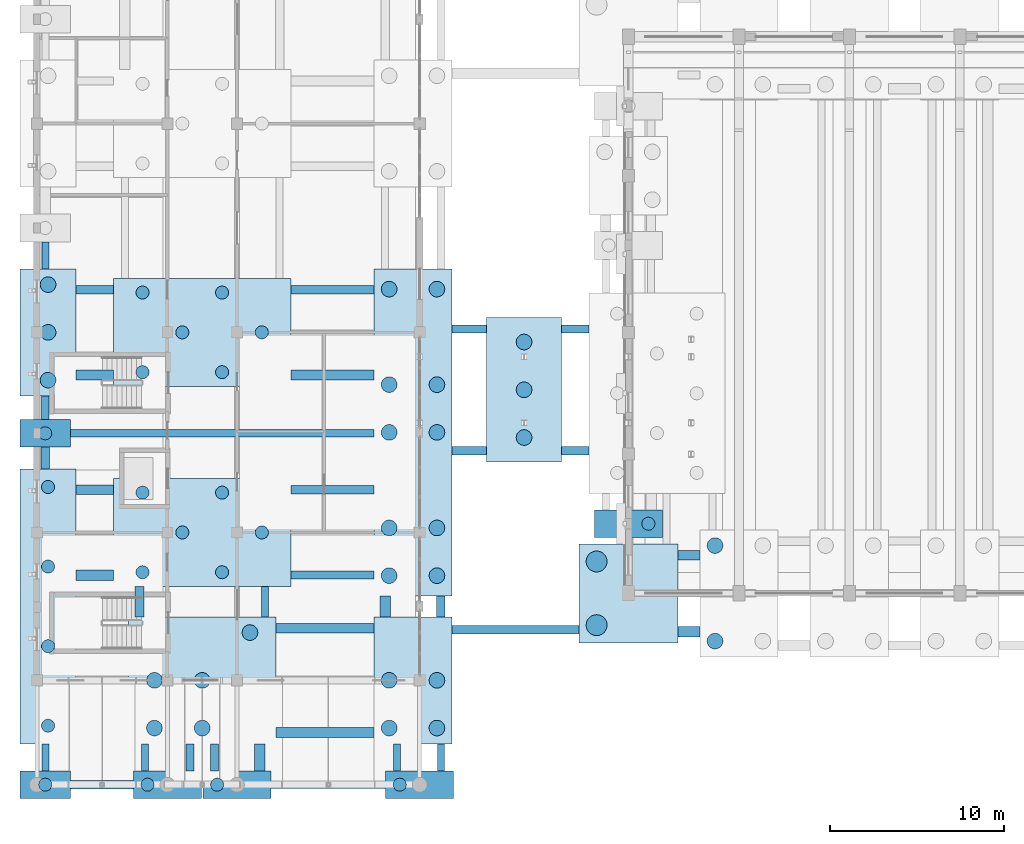
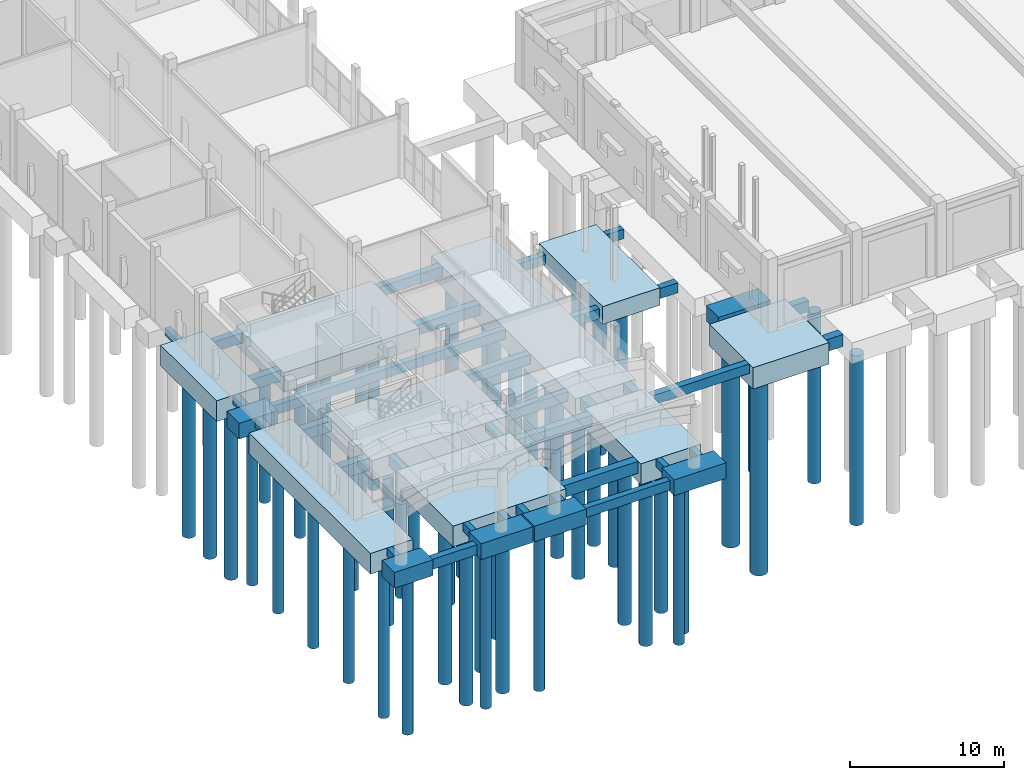
# One storey, part 1 of 60: 51 piles, 49 footings.
"""IFC4 building model written with IfcOpenShell, lengths in metres."""

from ifc_helpers import new_model, si_unit, direction, frame, origin, origin_2d, place, context, subcontext, project, spatial, rectangle, circle, extrude, material, material_profile, profile_set, type_object, element, save


model = new_model("IFC4")

# Units and contexts
model_context = context("Model", 3, precision=1e-05, world=origin(), true_north=direction((0.0, 1.0)))
body_context = subcontext(model_context, "Body", "Model", "MODEL_VIEW")
ifc_project = project(units=[si_unit("LENGTHUNIT", "METRE"), si_unit("AREAUNIT", "SQUARE_METRE"), si_unit("VOLUMEUNIT", "CUBIC_METRE"), si_unit("PLANEANGLEUNIT", "RADIAN"), si_unit("MASSUNIT", "GRAM", prefix="KILO")], contexts=[model_context])

# Site, building, storey
site_placement = place(None, origin())
site = spatial("IfcSite", under=ifc_project, at=site_placement, CompositionType="ELEMENT")
building_placement = place(site_placement, origin())
building = spatial("IfcBuilding", under=site, at=building_placement, Name="Trellovar Central Fire Station", CompositionType="ELEMENT")
storey_placement = place(building_placement, origin())
storey = spatial("IfcBuildingStorey", under=building, at=storey_placement, Name="L01", CompositionType="ELEMENT", Elevation=0.0)

# Footings
ifc_material_1 = material(Name="Concrete C35/45", Category="concrete")
footing_type_1 = type_object("IfcFootingType", Name="CAP-PC01", PredefinedType="PILE_CAP", material=ifc_material_1)
footing_1_placement = place(storey_placement, frame((1.47705078125, 3.0, -1.25), z_axis=(0.0, 0.0, 1.0), x_axis=(1.0, 0.0, 0.0)))
element("IfcFooting", 1, at=footing_1_placement, inside=storey, type_object=footing_type_1, Name="Pile cap PC-01 at (1.5, 3.0)", PredefinedType="PILE_CAP", context=body_context, shape_type="SweptSolid", body=[
    extrude(rectangle(XDim=2.89990234375, YDim=1.60009765625, at=origin_2d()), origin(), (0.0, 0.0, 1.0), 1.25),
])
ifc_material_2 = material(Name="Concrete C35/45", Category="concrete")
footing_type_2 = type_object("IfcFootingType", Name="CAP-PC02", PredefinedType="PILE_CAP", material=ifc_material_2)
footing_2_placement = place(storey_placement, frame((1.639892578125, 13.25, -2.050048828125), z_axis=(0.0, 0.0, 1.0), x_axis=(1.0, 0.0, 0.0)))
element("IfcFooting", 2, at=footing_2_placement, inside=storey, type_object=footing_type_2, Name="Pile cap PC-02 at (1.6, 13.2)", PredefinedType="PILE_CAP", context=body_context, shape_type="SweptSolid", body=[
    extrude(rectangle(XDim=3.199951171875, YDim=15.800048828125, at=origin_2d()), origin(), (0.0, 0.0, 1.0), 1.64990234375),
])
ifc_material_3 = material(Name="Concrete C35/45", Category="concrete")
footing_type_3 = type_object("IfcFootingType", Name="CAP-PC03", PredefinedType="PILE_CAP", material=ifc_material_3)
footing_3_placement = place(storey_placement, frame((1.47705078125, 23.199951171875, -1.64990234375), z_axis=(0.0, 0.0, 1.0), x_axis=(1.0, 0.0, 0.0)))
element("IfcFooting", 3, at=footing_3_placement, inside=storey, type_object=footing_type_3, Name="Pile cap PC-03 at (1.5, 23.2)", PredefinedType="PILE_CAP", context=body_context, shape_type="SweptSolid", body=[
    extrude(rectangle(XDim=2.89990234375, YDim=1.60009765625, at=origin_2d()), origin(), (0.0, 0.0, 1.0), 1.25),
])
ifc_material_4 = material(Name="Concrete C35/45", Category="concrete")
footing_type_4 = type_object("IfcFootingType", Name="CAP-PC04", PredefinedType="PILE_CAP", material=ifc_material_4)
footing_4_placement = place(storey_placement, frame((1.639892578125, 29.0, -2.050048828125), z_axis=(0.0, 0.0, 1.0), x_axis=(1.0, 0.0, 0.0)))
element("IfcFooting", 4, at=footing_4_placement, inside=storey, type_object=footing_type_4, Name="Pile cap PC-04 at (1.6, 29.0)", PredefinedType="PILE_CAP", context=body_context, shape_type="SweptSolid", body=[
    extrude(rectangle(XDim=3.199951171875, YDim=7.300048828125, at=origin_2d()), origin(), (0.0, 0.0, 1.0), 1.64990234375),
])
ifc_material_5 = material(Name="Concrete C35/45", Category="concrete")
footing_type_5 = type_object("IfcFootingType", Name="CAP-PC06", PredefinedType="PILE_CAP", material=ifc_material_5)
for number, where, z_axis, x_axis, name in (
    (5, (8.5, 3.0, -1.25), (0.0, 0.0, 1.0), (1.0, 0.0, 0.0), "Pile cap PC-06 at (8.5, 3.0)"),
    (6, (12.5, 3.0, -1.25), (0.0, 0.0, 1.0), (1.0, 0.0, 0.0), "Pile cap PC-06 at (12.5, 3.0)"),
    (7, (23.0, 3.0, -1.25), (0.0, 0.0, 1.0), (1.0, 0.0, 0.0), "Pile cap PC-06 at (23.0, 3.0)"),
):
    element("IfcFooting", number, at=place(storey_placement, frame(where, z_axis=z_axis, x_axis=x_axis)), inside=storey, type_object=footing_type_5, Name=name, PredefinedType="PILE_CAP", context=body_context, shape_type="SweptSolid", body=[
        extrude(rectangle(XDim=3.89990234375, YDim=1.60009765625, at=origin_2d()), origin(), (0.0, 0.0, 1.0), 1.25),
    ])
ifc_material_6 = material(Name="Concrete C35/45", Category="concrete")
footing_type_6 = type_object("IfcFootingType", Name="CAP-PC07", PredefinedType="PILE_CAP", material=ifc_material_6)
footing_5_placement = place(storey_placement, frame((10.5, 9.0, -2.050048828125), z_axis=(0.0, 0.0, 1.0), x_axis=(1.0, 0.0, 0.0)))
element("IfcFooting", 8, at=footing_5_placement, inside=storey, type_object=footing_type_6, Name="Pile cap PC-07 at (10.5, 9.0)", PredefinedType="PILE_CAP", context=body_context, shape_type="SweptSolid", body=[
    extrude(rectangle(XDim=8.5, YDim=7.300048828125, at=origin_2d()), origin(), (0.0, 0.0, 1.0), 1.64990234375),
])
ifc_material_7 = material(Name="Concrete C35/45", Category="concrete")
footing_type_7 = type_object("IfcFootingType", Name="CAP-PC08", PredefinedType="PILE_CAP", material=ifc_material_7)
for number, where, z_axis, x_axis, name in (
    (9, (10.5, 17.5, -1.9501953125), (0.0, 0.0, 1.0), (1.0, 0.0, 0.0), "Pile cap PC-08 at (10.5, 17.5)"),
    (10, (10.5, 29.0, -1.9501953125), (0.0, 0.0, 1.0), (1.0, 0.0, 0.0), "Pile cap PC-08 at (10.5, 29.0)"),
):
    element("IfcFooting", number, at=place(storey_placement, frame(where, z_axis=z_axis, x_axis=x_axis)), inside=storey, type_object=footing_type_7, Name=name, PredefinedType="PILE_CAP", context=body_context, shape_type="SweptSolid", body=[
        extrude(rectangle(XDim=10.199951171875, YDim=6.199951171875, at=origin_2d()), origin(), (0.0, 0.0, 1.0), 1.550048828125),
    ])
ifc_material_8 = material(Name="Concrete C35/45", Category="concrete")
footing_type_8 = type_object("IfcFootingType", Name="CAP-PC10", PredefinedType="PILE_CAP", material=ifc_material_8)
footing_6_placement = place(storey_placement, frame((22.6201171875, 9.0, -2.050048828125), z_axis=(0.0, 0.0, 1.0), x_axis=(1.0, 0.0, 0.0)))
element("IfcFooting", 11, at=footing_6_placement, inside=storey, type_object=footing_type_8, Name="Pile cap PC-10 at (22.6, 9.0)", PredefinedType="PILE_CAP", context=body_context, shape_type="SweptSolid", body=[
    extrude(rectangle(XDim=4.5, YDim=7.300048828125, at=origin_2d()), origin(), (0.0, 0.0, 1.0), 1.64990234375),
])
ifc_material_9 = material(Name="Concrete C35/45", Category="concrete")
footing_type_9 = type_object("IfcFootingType", Name="CAP-PC11", PredefinedType="PILE_CAP", material=ifc_material_9)
footing_7_placement = place(storey_placement, frame((22.6201171875, 23.25, -2.050048828125), z_axis=(0.0, 0.0, 1.0), x_axis=(1.0, 0.0, 0.0)))
element("IfcFooting", 12, at=footing_7_placement, inside=storey, type_object=footing_type_9, Name="Pile cap PC-11 at (22.6, 23.2)", PredefinedType="PILE_CAP", context=body_context, shape_type="SweptSolid", body=[
    extrude(rectangle(XDim=4.5, YDim=18.800048828125, at=origin_2d()), origin(), (0.0, 0.0, 1.0), 1.64990234375),
])
ifc_material_10 = material(Name="Concrete C35/45", Category="concrete")
footing_type_10 = type_object("IfcFootingType", Name="CAP-PC14", PredefinedType="PILE_CAP", material=ifc_material_10)
footing_8_placement = place(storey_placement, frame((29.0, 25.699951171875, -1.39990234375), z_axis=(0.0, 0.0, 1.0), x_axis=(1.0, 0.0, 0.0)))
element("IfcFooting", 13, at=footing_8_placement, inside=storey, type_object=footing_type_10, Name="Pile cap PC-14 at (29.0, 25.7)", PredefinedType="PILE_CAP", context=body_context, shape_type="SweptSolid", body=[
    extrude(rectangle(XDim=4.300048828125, YDim=8.300048828125, at=origin_2d()), origin(), (0.0, 0.0, 1.0), 1.39990234375),
])
ifc_material_11 = material(Name="Concrete C35/45", Category="concrete")
footing_type_11 = type_object("IfcFootingType", Name="CAP-PC15", PredefinedType="PILE_CAP", material=ifc_material_11)
footing_9_placement = place(storey_placement, frame((35.0, 14.0, -2.10009765625), z_axis=(0.0, 0.0, 1.0), x_axis=(1.0, 0.0, 0.0)))
element("IfcFooting", 14, at=footing_9_placement, inside=storey, type_object=footing_type_11, Name="Pile cap PC-15 at (35.0, 14.0)", PredefinedType="PILE_CAP", context=body_context, shape_type="SweptSolid", body=[
    extrude(rectangle(XDim=5.699951171875, YDim=5.699951171875, at=origin_2d()), origin(), (0.0, 0.0, 1.0), 1.699951171875),
])
ifc_material_12 = material(Name="Concrete C35/45", Category="concrete")
footing_type_12 = type_object("IfcFootingType", Name="CAP-PC16", PredefinedType="PILE_CAP", material=ifc_material_12)
footing_10_placement = place(storey_placement, frame((35.0, 18.0, -1.64990234375), z_axis=(0.0, 0.0, 1.0), x_axis=(1.0, 0.0, 0.0)))
element("IfcFooting", 15, at=footing_10_placement, inside=storey, type_object=footing_type_12, Name="Pile cap PC-16 at (35.0, 18.0)", PredefinedType="PILE_CAP", context=body_context, shape_type="SweptSolid", body=[
    extrude(rectangle(XDim=3.89990234375, YDim=1.60009765625, at=origin_2d()), origin(), (0.0, 0.0, 1.0), 1.25),
])
ifc_material_13 = material(Name="Concrete C35/45", Category="concrete")
ifc_material_profile_1 = material_profile(ifc_material_13, rectangle(XDim=0.5, YDim=0.800048828125, at=origin_2d()), Name="RC500X800")
ifc_profile_set_1 = profile_set([ifc_material_profile_1], Name="Concrete C35/45")
footing_type_13 = type_object("IfcFootingType", Name="FB-GB1", PredefinedType="FOOTING_BEAM", material=ifc_profile_set_1)
footing_11_placement = place(storey_placement, frame((2.927001953125, 3.0, -0.800048828125), z_axis=(1.0, 0.0, 0.0), x_axis=(0.0, 1.0, 0.0)))
element("IfcFooting", 16, at=footing_11_placement, inside=storey, type_object=footing_type_13, Name="Footing tie beam GB-001", PredefinedType="FOOTING_BEAM", context=body_context, shape_type="SweptSolid", body=[
    extrude(rectangle(XDim=0.5, YDim=0.800048828125, at=origin_2d()), origin(), (0.0, 0.0, 1.0), 3.623046875),
])
footing_12_placement = place(storey_placement, frame((1.48291015625, 21.14990234375, -0.800048828125), z_axis=(0.0, 1.0, 0.0), x_axis=(-1.0, 0.0, 0.0)))
element("IfcFooting", 17, at=footing_12_placement, inside=storey, type_object=footing_type_13, Name="Footing tie beam GB-005", PredefinedType="FOOTING_BEAM", context=body_context, shape_type="SweptSolid", body=[
    extrude(rectangle(XDim=0.5, YDim=0.800048828125, at=origin_2d()), origin(), (0.0, 0.0, 1.0), 1.25),
])
footing_13_placement = place(storey_placement, frame((3.239990234375, 31.449951171875, -0.800048828125), z_axis=(1.0, 0.0, 0.0), x_axis=(0.0, 1.0, 0.0)))
element("IfcFooting", 18, at=footing_13_placement, inside=storey, type_object=footing_type_13, Name="Footing tie beam GB-009", PredefinedType="FOOTING_BEAM", context=body_context, shape_type="SweptSolid", body=[
    extrude(rectangle(XDim=0.5, YDim=0.800048828125, at=origin_2d()), origin(), (0.0, 0.0, 1.0), 2.159912109375),
])
footing_14_placement = place(storey_placement, frame((6.89990234375, 12.64990234375, -0.800048828125), z_axis=(0.0, 1.0, 0.0), x_axis=(-1.0, 0.0, 0.0)))
element("IfcFooting", 19, at=footing_14_placement, inside=storey, type_object=footing_type_13, Name="Footing tie beam GB-026", PredefinedType="FOOTING_BEAM", context=body_context, shape_type="SweptSolid", body=[
    extrude(rectangle(XDim=0.5, YDim=0.800048828125, at=origin_2d()), origin(), (0.0, 0.0, 1.0), 1.75),
])
footing_15_placement = place(storey_placement, frame((15.60009765625, 31.449951171875, -0.800048828125), z_axis=(1.0, 0.0, 0.0), x_axis=(0.0, 1.0, 0.0)))
element("IfcFooting", 20, at=footing_15_placement, inside=storey, type_object=footing_type_13, Name="Footing tie beam GB-031", PredefinedType="FOOTING_BEAM", context=body_context, shape_type="SweptSolid", body=[
    extrude(rectangle(XDim=0.5, YDim=0.800048828125, at=origin_2d()), origin(), (0.0, 0.0, 1.0), 4.77001953125),
])
footing_16_placement = place(storey_placement, frame((24.219970703125, 12.64990234375, -0.800048828125), z_axis=(0.0, 1.0, 0.0), x_axis=(-1.0, 0.0, 0.0)))
element("IfcFooting", 21, at=footing_16_placement, inside=storey, type_object=footing_type_13, Name="Footing tie beam GB-051", PredefinedType="FOOTING_BEAM", context=body_context, shape_type="SweptSolid", body=[
    extrude(rectangle(XDim=0.5, YDim=0.800048828125, at=origin_2d()), origin(), (0.0, 0.0, 1.0), 1.2001953125),
])
footing_17_placement = place(storey_placement, frame((24.8701171875, 22.199951171875, -0.800048828125), z_axis=(1.0, 0.0, 0.0), x_axis=(0.0, 1.0, 0.0)))
element("IfcFooting", 22, at=footing_17_placement, inside=storey, type_object=footing_type_13, Name="Footing tie beam GB-052", PredefinedType="FOOTING_BEAM", context=body_context, shape_type="SweptSolid", body=[
    extrude(rectangle(XDim=0.5, YDim=0.800048828125, at=origin_2d()), origin(), (0.0, 0.0, 1.0), 1.97998046875),
])
footing_18_placement = place(storey_placement, frame((31.14990234375, 22.199951171875, -0.800048828125), z_axis=(1.0, 0.0, 0.0), x_axis=(0.0, 1.0, 0.0)))
element("IfcFooting", 23, at=footing_18_placement, inside=storey, type_object=footing_type_13, Name="Footing tie beam GB-062", PredefinedType="FOOTING_BEAM", context=body_context, shape_type="SweptSolid", body=[
    extrude(rectangle(XDim=0.5, YDim=0.800048828125, at=origin_2d()), origin(), (0.0, 0.0, 1.0), 1.588134765625),
])
ifc_material_14 = material(Name="Concrete C35/45", Category="concrete")
ifc_material_profile_2 = material_profile(ifc_material_14, rectangle(XDim=0.60009765625, YDim=0.949951171875, at=origin_2d()), Name="RC600X950")
ifc_profile_set_2 = profile_set([ifc_material_profile_2], Name="Concrete C35/45")
footing_type_14 = type_object("IfcFootingType", Name="FB-GB2", PredefinedType="FOOTING_BEAM", material=ifc_profile_set_2)
footing_19_placement = place(storey_placement, frame((3.239990234375, 15.050048828125, -0.875), z_axis=(1.0, 0.0, 0.0), x_axis=(0.0, 1.0, 0.0)))
element("IfcFooting", 24, at=footing_19_placement, inside=storey, type_object=footing_type_14, Name="Footing tie beam GB-003", PredefinedType="FOOTING_BEAM", context=body_context, shape_type="SweptSolid", body=[
    extrude(rectangle(XDim=0.60009765625, YDim=0.949951171875, at=origin_2d()), origin(), (0.0, 0.0, 1.0), 2.159912109375),
])
footing_20_placement = place(storey_placement, frame((14.75, 6.0, -0.875), z_axis=(1.0, 0.0, 0.0), x_axis=(0.0, 1.0, 0.0)))
element("IfcFooting", 25, at=footing_20_placement, inside=storey, type_object=footing_type_14, Name="Footing tie beam GB-024", PredefinedType="FOOTING_BEAM", context=body_context, shape_type="SweptSolid", body=[
    extrude(rectangle(XDim=0.60009765625, YDim=0.949951171875, at=origin_2d()), origin(), (0.0, 0.0, 1.0), 5.6201171875),
])
footing_21_placement = place(storey_placement, frame((13.800048828125, 3.800048828125, -0.875), z_axis=(0.0, 1.0, 0.0), x_axis=(-1.0, 0.0, 0.0)))
element("IfcFooting", 26, at=footing_21_placement, inside=storey, type_object=footing_type_14, Name="Footing tie beam GB-046", PredefinedType="FOOTING_BEAM", context=body_context, shape_type="SweptSolid", body=[
    extrude(rectangle(XDim=0.60009765625, YDim=0.949951171875, at=origin_2d()), origin(), (0.0, 0.0, 1.0), 1.550048828125),
])
footing_22_placement = place(storey_placement, frame((21.02001953125, 12.64990234375, -0.875), z_axis=(0.0, 1.0, 0.0), x_axis=(-1.0, 0.0, 0.0)))
element("IfcFooting", 27, at=footing_22_placement, inside=storey, type_object=footing_type_14, Name="Footing tie beam GB-050", PredefinedType="FOOTING_BEAM", context=body_context, shape_type="SweptSolid", body=[
    extrude(rectangle(XDim=0.60009765625, YDim=0.949951171875, at=origin_2d()), origin(), (0.0, 0.0, 1.0), 1.2001953125),
])
footing_23_placement = place(storey_placement, frame((37.85009765625, 11.800048828125, -0.875), z_axis=(1.0, 0.0, 0.0), x_axis=(0.0, 1.0, 0.0)))
element("IfcFooting", 28, at=footing_23_placement, inside=storey, type_object=footing_type_14, Name="Footing tie beam GB-064", PredefinedType="FOOTING_BEAM", context=body_context, shape_type="SweptSolid", body=[
    extrude(rectangle(XDim=0.60009765625, YDim=0.949951171875, at=origin_2d()), origin(), (0.0, 0.0, 1.0), 1.25),
])
ifc_material_15 = material(Name="Concrete C35/45", Category="concrete")
ifc_material_profile_3 = material_profile(ifc_material_15, rectangle(XDim=0.449951171875, YDim=0.75, at=origin_2d()), Name="RC450X750")
ifc_profile_set_3 = profile_set([ifc_material_profile_3], Name="Concrete C35/45")
footing_type_15 = type_object("IfcFootingType", Name="FB-GB3", PredefinedType="FOOTING_BEAM", material=ifc_profile_set_3)
footing_24_placement = place(storey_placement, frame((2.927001953125, 23.199951171875, -0.77490234375), z_axis=(1.0, 0.0, 0.0), x_axis=(0.0, 1.0, 0.0)))
element("IfcFooting", 29, at=footing_24_placement, inside=storey, type_object=footing_type_15, Name="Footing tie beam GB-006", PredefinedType="FOOTING_BEAM", context=body_context, shape_type="SweptSolid", body=[
    extrude(rectangle(XDim=0.449951171875, YDim=0.75, at=origin_2d()), origin(), (0.0, 0.0, 1.0), 17.443115234375),
])
footing_25_placement = place(storey_placement, frame((15.60009765625, 15.050048828125, -0.77490234375), z_axis=(1.0, 0.0, 0.0), x_axis=(0.0, 1.0, 0.0)))
element("IfcFooting", 30, at=footing_25_placement, inside=storey, type_object=footing_type_15, Name="Footing tie beam GB-028", PredefinedType="FOOTING_BEAM", context=body_context, shape_type="SweptSolid", body=[
    extrude(rectangle(XDim=0.449951171875, YDim=0.75, at=origin_2d()), origin(), (0.0, 0.0, 1.0), 4.77001953125),
])
footing_26_placement = place(storey_placement, frame((14.449951171875, 3.0, -0.77490234375), z_axis=(1.0, 0.0, 0.0), x_axis=(0.0, 1.0, 0.0)))
element("IfcFooting", 31, at=footing_26_placement, inside=storey, type_object=footing_type_15, Name="Footing tie beam GB-044", PredefinedType="FOOTING_BEAM", context=body_context, shape_type="SweptSolid", body=[
    extrude(rectangle(XDim=0.449951171875, YDim=0.75, at=origin_2d()), origin(), (0.0, 0.0, 1.0), 6.60009765625),
])
footing_27_placement = place(storey_placement, frame((24.8701171875, 29.199951171875, -0.77490234375), z_axis=(1.0, 0.0, 0.0), x_axis=(0.0, 1.0, 0.0)))
element("IfcFooting", 32, at=footing_27_placement, inside=storey, type_object=footing_type_15, Name="Footing tie beam GB-053", PredefinedType="FOOTING_BEAM", context=body_context, shape_type="SweptSolid", body=[
    extrude(rectangle(XDim=0.449951171875, YDim=0.75, at=origin_2d()), origin(), (0.0, 0.0, 1.0), 1.97998046875),
])
footing_28_placement = place(storey_placement, frame((31.14990234375, 29.199951171875, -0.77490234375), z_axis=(1.0, 0.0, 0.0), x_axis=(0.0, 1.0, 0.0)))
element("IfcFooting", 33, at=footing_28_placement, inside=storey, type_object=footing_type_15, Name="Footing tie beam GB-063", PredefinedType="FOOTING_BEAM", context=body_context, shape_type="SweptSolid", body=[
    extrude(rectangle(XDim=0.449951171875, YDim=0.75, at=origin_2d()), origin(), (0.0, 0.0, 1.0), 1.588134765625),
])
ifc_material_16 = material(Name="Concrete C35/45", Category="concrete")
ifc_material_profile_4 = material_profile(ifc_material_16, rectangle(XDim=0.39990234375, YDim=0.64990234375, at=origin_2d()), Name="RC400X650")
ifc_profile_set_4 = profile_set([ifc_material_profile_4], Name="Concrete C35/45")
footing_type_16 = type_object("IfcFootingType", Name="FB-GB4", PredefinedType="FOOTING_BEAM", material=ifc_profile_set_4)
for number, where, z_axis, x_axis, name in (
    (34, (1.48291015625, 3.800048828125, -0.72509765625), (0.0, 1.0, 0.0), (-1.0, 0.0, 0.0), "Footing tie beam GB-002"),
    (35, (7.199951171875, 3.800048828125, -0.72509765625), (0.0, 1.0, 0.0), (-1.0, 0.0, 0.0), "Footing tie beam GB-022"),
    (36, (24.219970703125, 3.800048828125, -0.72509765625), (0.0, 1.0, 0.0), (-1.0, 0.0, 0.0), "Footing tie beam GB-048"),
):
    element("IfcFooting", number, at=place(storey_placement, frame(where, z_axis=z_axis, x_axis=x_axis)), inside=storey, type_object=footing_type_16, Name=name, PredefinedType="FOOTING_BEAM", context=body_context, shape_type="SweptSolid", body=[
        extrude(rectangle(XDim=0.39990234375, YDim=0.64990234375, at=origin_2d()), origin(), (0.0, 0.0, 1.0), 1.550048828125),
    ])
ifc_material_17 = material(Name="Concrete C35/45", Category="concrete")
ifc_material_profile_5 = material_profile(ifc_material_17, rectangle(XDim=0.550048828125, YDim=0.85009765625, at=origin_2d()), Name="RC550X850")
ifc_profile_set_5 = profile_set([ifc_material_profile_5], Name="Concrete C35/45")
footing_type_17 = type_object("IfcFootingType", Name="FB-GB5", PredefinedType="FOOTING_BEAM", material=ifc_profile_set_5)
for number, where, z_axis, x_axis, name in (
    (37, (3.239990234375, 19.949951171875, -0.824951171875), (1.0, 0.0, 0.0), (0.0, 1.0, 0.0), "Footing tie beam GB-004"),
    (38, (3.239990234375, 26.550048828125, -0.824951171875), (1.0, 0.0, 0.0), (0.0, 1.0, 0.0), "Footing tie beam GB-008"),
):
    element("IfcFooting", number, at=place(storey_placement, frame(where, z_axis=z_axis, x_axis=x_axis)), inside=storey, type_object=footing_type_17, Name=name, PredefinedType="FOOTING_BEAM", context=body_context, shape_type="SweptSolid", body=[
        extrude(rectangle(XDim=0.550048828125, YDim=0.85009765625, at=origin_2d()), origin(), (0.0, 0.0, 1.0), 2.159912109375),
    ])
footing_29_placement = place(storey_placement, frame((14.75, 12.0, -0.824951171875), z_axis=(1.0, 0.0, 0.0), x_axis=(0.0, 1.0, 0.0)))
element("IfcFooting", 39, at=footing_29_placement, inside=storey, type_object=footing_type_17, Name="Footing tie beam GB-025", PredefinedType="FOOTING_BEAM", context=body_context, shape_type="SweptSolid", body=[
    extrude(rectangle(XDim=0.550048828125, YDim=0.85009765625, at=origin_2d()), origin(), (0.0, 0.0, 1.0), 5.6201171875),
])
footing_30_placement = place(storey_placement, frame((15.60009765625, 26.550048828125, -0.824951171875), z_axis=(1.0, 0.0, 0.0), x_axis=(0.0, 1.0, 0.0)))
element("IfcFooting", 40, at=footing_30_placement, inside=storey, type_object=footing_type_17, Name="Footing tie beam GB-030", PredefinedType="FOOTING_BEAM", context=body_context, shape_type="SweptSolid", body=[
    extrude(rectangle(XDim=0.550048828125, YDim=0.85009765625, at=origin_2d()), origin(), (0.0, 0.0, 1.0), 4.77001953125),
])
footing_31_placement = place(storey_placement, frame((37.85009765625, 16.199951171875, -0.824951171875), z_axis=(1.0, 0.0, 0.0), x_axis=(0.0, 1.0, 0.0)))
element("IfcFooting", 41, at=footing_31_placement, inside=storey, type_object=footing_type_17, Name="Footing tie beam GB-065", PredefinedType="FOOTING_BEAM", context=body_context, shape_type="SweptSolid", body=[
    extrude(rectangle(XDim=0.550048828125, YDim=0.85009765625, at=origin_2d()), origin(), (0.0, 0.0, 1.0), 1.25),
])
ifc_material_18 = material(Name="Concrete C35/45", Category="concrete")
ifc_material_profile_6 = material_profile(ifc_material_18, rectangle(XDim=0.5, YDim=0.75, at=origin_2d()), Name="RC500X750")
ifc_profile_set_6 = profile_set([ifc_material_profile_6], Name="Concrete C35/45")
footing_type_18 = type_object("IfcFootingType", Name="FB-GB6", PredefinedType="FOOTING_BEAM", material=ifc_profile_set_6)
footing_32_placement = place(storey_placement, frame((15.60009765625, 19.949951171875, -0.77490234375), z_axis=(1.0, 0.0, 0.0), x_axis=(0.0, 1.0, 0.0)))
element("IfcFooting", 42, at=footing_32_placement, inside=storey, type_object=footing_type_18, Name="Footing tie beam GB-029", PredefinedType="FOOTING_BEAM", context=body_context, shape_type="SweptSolid", body=[
    extrude(rectangle(XDim=0.5, YDim=0.75, at=origin_2d()), origin(), (0.0, 0.0, 1.0), 4.77001953125),
])
footing_33_placement = place(storey_placement, frame((24.8701171875, 11.89990234375, -0.77490234375), z_axis=(1.0, 0.0, 0.0), x_axis=(0.0, 1.0, 0.0)))
element("IfcFooting", 43, at=footing_33_placement, inside=storey, type_object=footing_type_18, Name="Footing tie beam GB-049", PredefinedType="FOOTING_BEAM", context=body_context, shape_type="SweptSolid", body=[
    extrude(rectangle(XDim=0.5, YDim=0.75, at=origin_2d()), origin(), (0.0, 0.0, 1.0), 7.27978515625),
])
ifc_material_19 = material(Name="Concrete C35/45", Category="concrete")
ifc_material_profile_7 = material_profile(ifc_material_19, rectangle(XDim=0.449951171875, YDim=0.699951171875, at=origin_2d()), Name="RC450X700")
ifc_profile_set_7 = profile_set([ifc_material_profile_7], Name="Concrete C35/45")
footing_type_19 = type_object("IfcFootingType", Name="FB-GB7", PredefinedType="FOOTING_BEAM", material=ifc_profile_set_7)
footing_34_placement = place(storey_placement, frame((1.48291015625, 24.0, -0.75), z_axis=(0.0, 1.0, 0.0), x_axis=(-1.0, 0.0, 0.0)))
element("IfcFooting", 44, at=footing_34_placement, inside=storey, type_object=footing_type_19, Name="Footing tie beam GB-007", PredefinedType="FOOTING_BEAM", context=body_context, shape_type="SweptSolid", body=[
    extrude(rectangle(XDim=0.449951171875, YDim=0.699951171875, at=origin_2d()), origin(), (0.0, 0.0, 1.0), 1.35009765625),
])
for number, where, z_axis, x_axis, name in (
    (45, (9.800048828125, 3.800048828125, -0.75), (0.0, 1.0, 0.0), (-1.0, 0.0, 0.0), "Footing tie beam GB-023"),
    (46, (11.199951171875, 3.800048828125, -0.75), (0.0, 1.0, 0.0), (-1.0, 0.0, 0.0), "Footing tie beam GB-045"),
):
    element("IfcFooting", number, at=place(storey_placement, frame(where, z_axis=z_axis, x_axis=x_axis)), inside=storey, type_object=footing_type_19, Name=name, PredefinedType="FOOTING_BEAM", context=body_context, shape_type="SweptSolid", body=[
        extrude(rectangle(XDim=0.449951171875, YDim=0.699951171875, at=origin_2d()), origin(), (0.0, 0.0, 1.0), 1.550048828125),
    ])
ifc_material_20 = material(Name="Concrete C35/45", Category="concrete")
ifc_material_profile_8 = material_profile(ifc_material_20, rectangle(XDim=0.39990234375, YDim=0.60009765625, at=origin_2d()), Name="RC400X600")
ifc_profile_set_8 = profile_set([ifc_material_profile_8], Name="Concrete C35/45")
footing_type_20 = type_object("IfcFootingType", Name="FB-GB8", PredefinedType="FOOTING_BEAM", material=ifc_profile_set_8)
footing_35_placement = place(storey_placement, frame((1.48291015625, 32.64990234375, -0.699951171875), z_axis=(0.0, 1.0, 0.0), x_axis=(-1.0, 0.0, 0.0)))
element("IfcFooting", 47, at=footing_35_placement, inside=storey, type_object=footing_type_20, Name="Footing tie beam GB-010", PredefinedType="FOOTING_BEAM", context=body_context, shape_type="SweptSolid", body=[
    extrude(rectangle(XDim=0.39990234375, YDim=0.60009765625, at=origin_2d()), origin(), (0.0, 0.0, 1.0), 1.550048828125),
])
footing_36_placement = place(storey_placement, frame((14.10009765625, 12.64990234375, -0.699951171875), z_axis=(0.0, 1.0, 0.0), x_axis=(-1.0, 0.0, 0.0)))
element("IfcFooting", 48, at=footing_36_placement, inside=storey, type_object=footing_type_20, Name="Footing tie beam GB-027", PredefinedType="FOOTING_BEAM", context=body_context, shape_type="SweptSolid", body=[
    extrude(rectangle(XDim=0.39990234375, YDim=0.60009765625, at=origin_2d()), origin(), (0.0, 0.0, 1.0), 1.75),
])
footing_37_placement = place(storey_placement, frame((21.699951171875, 3.800048828125, -0.699951171875), z_axis=(0.0, 1.0, 0.0), x_axis=(-1.0, 0.0, 0.0)))
element("IfcFooting", 49, at=footing_37_placement, inside=storey, type_object=footing_type_20, Name="Footing tie beam GB-047", PredefinedType="FOOTING_BEAM", context=body_context, shape_type="SweptSolid", body=[
    extrude(rectangle(XDim=0.39990234375, YDim=0.60009765625, at=origin_2d()), origin(), (0.0, 0.0, 1.0), 1.550048828125),
])

# Piles
ifc_material_21 = material(Name="Concrete C35/45", Category="concrete")
ifc_material_profile_9 = material_profile(ifc_material_21, circle(Radius=0.375, at=origin_2d()), Name="PILE750")
ifc_profile_set_9 = profile_set([ifc_material_profile_9], Name="Concrete C35/45")
pile_type_1 = type_object("IfcPileType", Name="PILE-BP1", PredefinedType="BORED", material=ifc_profile_set_9)
for number, where, z_axis, x_axis, name in (
    (50, (1.47705078125, 3.0, -1.14990234375), (0.0, 0.0, -1.0), (1.0, 0.0, 0.0), "Bored pile FNDBP3-001-01"),
    (51, (1.639892578125, 6.388916015625, -1.949951171875), (0.0, 0.0, -1.0), (1.0, 0.0, 0.0), "Bored pile FNDBP3-002-01"),
    (52, (1.639892578125, 10.962890625, -1.949951171875), (0.0, 0.0, -1.0), (1.0, 0.0, 0.0), "Bored pile FNDBP3-002-02"),
    (53, (1.639892578125, 15.537109375, -1.949951171875), (0.0, 0.0, -1.0), (1.0, 0.0, 0.0), "Bored pile FNDBP3-002-03"),
    (54, (1.639892578125, 20.111083984375, -1.949951171875), (0.0, 0.0, -1.0), (1.0, 0.0, 0.0), "Bored pile FNDBP3-002-04"),
    (55, (1.47705078125, 23.199951171875, -1.550048828125), (0.0, 0.0, -1.0), (1.0, 0.0, 0.0), "Bored pile FNDBP3-003-01"),
    (56, (7.35693359375, 3.0, -1.14990234375), (0.0, 0.0, -1.0), (1.0, 0.0, 0.0), "Bored pile FNDBP3-011-01"),
    (57, (7.070068359375, 15.212890625, -1.85009765625), (0.0, 0.0, -1.0), (1.0, 0.0, 0.0), "Bored pile FNDBP3-013-01"),
    (58, (7.070068359375, 19.787109375, -1.85009765625), (0.0, 0.0, -1.0), (1.0, 0.0, 0.0), "Bored pile FNDBP3-013-02"),
    (59, (9.35693359375, 17.5, -1.85009765625), (0.0, 0.0, -1.0), (1.0, 0.0, 0.0), "Bored pile FNDBP3-013-03"),
    (60, (11.64306640625, 15.212890625, -1.85009765625), (0.0, 0.0, -1.0), (1.0, 0.0, 0.0), "Bored pile FNDBP3-013-04"),
    (61, (11.64306640625, 19.787109375, -1.85009765625), (0.0, 0.0, -1.0), (1.0, 0.0, 0.0), "Bored pile FNDBP3-013-05"),
    (62, (13.929931640625, 17.5, -1.85009765625), (0.0, 0.0, -1.0), (1.0, 0.0, 0.0), "Bored pile FNDBP3-013-06"),
    (63, (7.070068359375, 26.712890625, -1.85009765625), (0.0, 0.0, -1.0), (1.0, 0.0, 0.0), "Bored pile FNDBP3-014-01"),
    (64, (7.070068359375, 31.287109375, -1.85009765625), (0.0, 0.0, -1.0), (1.0, 0.0, 0.0), "Bored pile FNDBP3-014-02"),
    (65, (9.35693359375, 29.0, -1.85009765625), (0.0, 0.0, -1.0), (1.0, 0.0, 0.0), "Bored pile FNDBP3-014-03"),
    (66, (11.64306640625, 26.712890625, -1.85009765625), (0.0, 0.0, -1.0), (1.0, 0.0, 0.0), "Bored pile FNDBP3-014-04"),
    (67, (11.64306640625, 31.287109375, -1.85009765625), (0.0, 0.0, -1.0), (1.0, 0.0, 0.0), "Bored pile FNDBP3-014-05"),
    (68, (13.929931640625, 29.0, -1.85009765625), (0.0, 0.0, -1.0), (1.0, 0.0, 0.0), "Bored pile FNDBP3-014-06"),
    (69, (11.35693359375, 3.0, -1.14990234375), (0.0, 0.0, -1.0), (1.0, 0.0, 0.0), "Bored pile FNDBP3-018-01"),
    (70, (21.85693359375, 3.0, -1.14990234375), (0.0, 0.0, -1.0), (1.0, 0.0, 0.0), "Bored pile FNDBP3-019-01"),
    (71, (36.14306640625, 18.0, -1.550048828125), (0.0, 0.0, -1.0), (1.0, 0.0, 0.0), "Bored pile FNDBP3-028-01"),
):
    element("IfcPile", number, at=place(storey_placement, frame(where, z_axis=z_axis, x_axis=x_axis)), inside=storey, type_object=pile_type_1, Name=name, PredefinedType="BORED", context=body_context, shape_type="SweptSolid", body=[
        extrude(circle(Radius=0.375, at=origin_2d()), origin(), (0.0, 0.0, 1.0), 12.5),
    ])
ifc_material_22 = material(Name="Concrete C35/45", Category="concrete")
ifc_material_profile_10 = material_profile(ifc_material_22, circle(Radius=0.449951171875, at=origin_2d()), Name="PILE900")
ifc_profile_set_10 = profile_set([ifc_material_profile_10], Name="Concrete C35/45")
pile_type_2 = type_object("IfcPileType", Name="PILE-BP2", PredefinedType="BORED", material=ifc_profile_set_10)
for number, where, z_axis, x_axis, name in (
    (72, (1.639892578125, 26.2548828125, -1.949951171875), (0.0, 0.0, -1.0), (1.0, 0.0, 0.0), "Bored pile FNDBP3-004-01"),
    (73, (1.639892578125, 29.0, -1.949951171875), (0.0, 0.0, -1.0), (1.0, 0.0, 0.0), "Bored pile FNDBP3-004-02"),
    (74, (1.639892578125, 31.7451171875, -1.949951171875), (0.0, 0.0, -1.0), (1.0, 0.0, 0.0), "Bored pile FNDBP3-004-03"),
    (75, (7.7548828125, 6.2548828125, -1.949951171875), (0.0, 0.0, -1.0), (1.0, 0.0, 0.0), "Bored pile FNDBP3-012-01"),
    (76, (7.7548828125, 9.0, -1.949951171875), (0.0, 0.0, -1.0), (1.0, 0.0, 0.0), "Bored pile FNDBP3-012-02"),
    (77, (10.5, 6.2548828125, -1.949951171875), (0.0, 0.0, -1.0), (1.0, 0.0, 0.0), "Bored pile FNDBP3-012-03"),
    (78, (10.5, 9.0, -1.949951171875), (0.0, 0.0, -1.0), (1.0, 0.0, 0.0), "Bored pile FNDBP3-012-04"),
    (79, (13.2451171875, 11.7451171875, -1.949951171875), (0.0, 0.0, -1.0), (1.0, 0.0, 0.0), "Bored pile FNDBP3-012-05"),
    (80, (21.2470703125, 6.2548828125, -1.949951171875), (0.0, 0.0, -1.0), (1.0, 0.0, 0.0), "Bored pile FNDBP3-020-01"),
    (81, (21.2470703125, 9.0, -1.949951171875), (0.0, 0.0, -1.0), (1.0, 0.0, 0.0), "Bored pile FNDBP3-020-02"),
    (82, (23.992919921875, 6.2548828125, -1.949951171875), (0.0, 0.0, -1.0), (1.0, 0.0, 0.0), "Bored pile FNDBP3-020-03"),
    (83, (23.992919921875, 9.0, -1.949951171875), (0.0, 0.0, -1.0), (1.0, 0.0, 0.0), "Bored pile FNDBP3-020-04"),
    (84, (21.2470703125, 15.014892578125, -1.949951171875), (0.0, 0.0, -1.0), (1.0, 0.0, 0.0), "Bored pile FNDBP3-021-01"),
    (85, (21.2470703125, 17.760009765625, -1.949951171875), (0.0, 0.0, -1.0), (1.0, 0.0, 0.0), "Bored pile FNDBP3-021-02"),
    (86, (21.2470703125, 23.25, -1.949951171875), (0.0, 0.0, -1.0), (1.0, 0.0, 0.0), "Bored pile FNDBP3-021-03"),
    (87, (21.2470703125, 25.9951171875, -1.949951171875), (0.0, 0.0, -1.0), (1.0, 0.0, 0.0), "Bored pile FNDBP3-021-04"),
    (88, (21.2470703125, 31.485107421875, -1.949951171875), (0.0, 0.0, -1.0), (1.0, 0.0, 0.0), "Bored pile FNDBP3-021-05"),
    (89, (23.992919921875, 15.014892578125, -1.949951171875), (0.0, 0.0, -1.0), (1.0, 0.0, 0.0), "Bored pile FNDBP3-021-06"),
    (90, (23.992919921875, 17.760009765625, -1.949951171875), (0.0, 0.0, -1.0), (1.0, 0.0, 0.0), "Bored pile FNDBP3-021-07"),
    (91, (23.992919921875, 23.25, -1.949951171875), (0.0, 0.0, -1.0), (1.0, 0.0, 0.0), "Bored pile FNDBP3-021-08"),
    (92, (23.992919921875, 25.9951171875, -1.949951171875), (0.0, 0.0, -1.0), (1.0, 0.0, 0.0), "Bored pile FNDBP3-021-09"),
    (93, (23.992919921875, 31.485107421875, -1.949951171875), (0.0, 0.0, -1.0), (1.0, 0.0, 0.0), "Bored pile FNDBP3-021-10"),
    (94, (29.0, 22.955078125, -1.300048828125), (0.0, 0.0, -1.0), (1.0, 0.0, 0.0), "Bored pile FNDBP3-026-01"),
    (95, (29.0, 25.699951171875, -1.300048828125), (0.0, 0.0, -1.0), (1.0, 0.0, 0.0), "Bored pile FNDBP3-026-02"),
    (96, (29.0, 28.445068359375, -1.300048828125), (0.0, 0.0, -1.0), (1.0, 0.0, 0.0), "Bored pile FNDBP3-026-03"),
    (97, (39.97705078125, 11.2548828125, -1.949951171875), (0.0, 0.0, -1.0), (1.0, 0.0, 0.0), "Bored pile FNDBP3-034-01"),
    (98, (39.97705078125, 16.7451171875, -1.949951171875), (0.0, 0.0, -1.0), (1.0, 0.0, 0.0), "Bored pile FNDBP3-034-02"),
):
    element("IfcPile", number, at=place(storey_placement, frame(where, z_axis=z_axis, x_axis=x_axis)), inside=storey, type_object=pile_type_2, Name=name, PredefinedType="BORED", context=body_context, shape_type="SweptSolid", body=[
        extrude(circle(Radius=0.449951171875, at=origin_2d()), origin(), (0.0, 0.0, 1.0), 13.5),
    ])
ifc_material_23 = material(Name="Concrete C35/45", Category="concrete")
ifc_material_profile_11 = material_profile(ifc_material_23, circle(Radius=0.60009765625, at=origin_2d()), Name="PILE1200")
ifc_profile_set_11 = profile_set([ifc_material_profile_11], Name="Concrete C35/45")
pile_type_3 = type_object("IfcPileType", Name="PILE-BP4", PredefinedType="BORED", material=ifc_profile_set_11)
for number, where, z_axis, x_axis, name in (
    (99, (33.169921875, 12.169921875, -2.0), (0.0, 0.0, -1.0), (1.0, 0.0, 0.0), "Bored pile FNDBP3-027-01"),
    (100, (33.169921875, 15.830078125, -2.0), (0.0, 0.0, -1.0), (1.0, 0.0, 0.0), "Bored pile FNDBP3-027-02"),
):
    element("IfcPile", number, at=place(storey_placement, frame(where, z_axis=z_axis, x_axis=x_axis)), inside=storey, type_object=pile_type_3, Name=name, PredefinedType="BORED", context=body_context, shape_type="SweptSolid", body=[
        extrude(circle(Radius=0.60009765625, at=origin_2d()), origin(), (0.0, 0.0, 1.0), 15.5),
    ])

save(model, "model.ifc")
